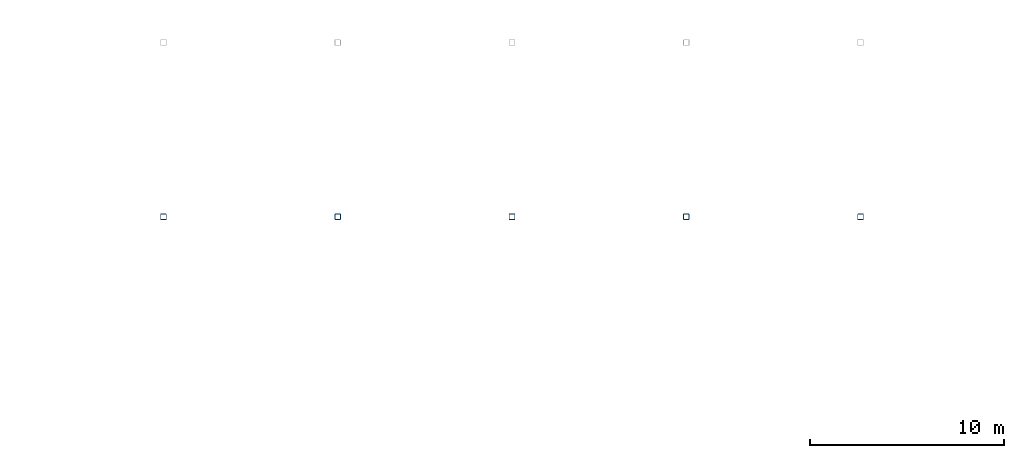
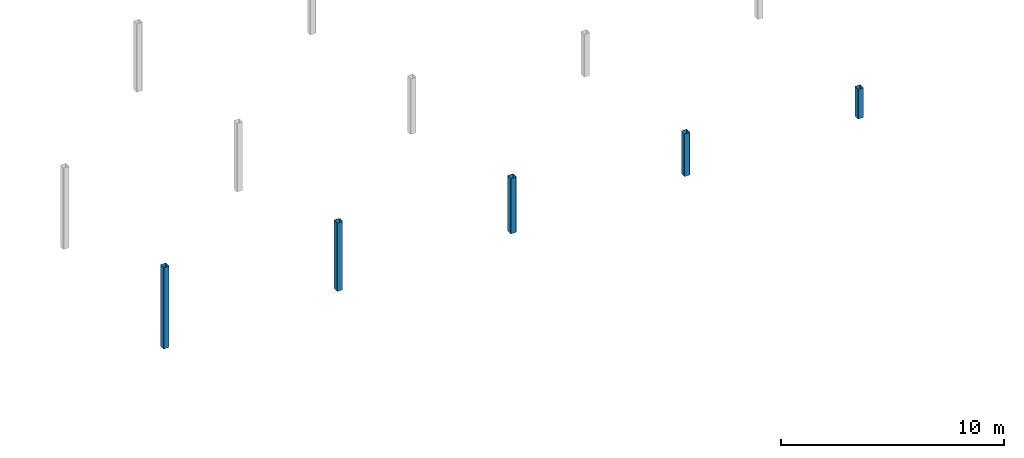
# One storey, part 2 of 15: 5 columns.
"""IFC4 building model written with IfcOpenShell, lengths in metres."""

import ifcopenshell
import ifcopenshell.guid

model = None  # the IFC model being written
_history = None  # IfcOwnerHistory: only IFC2X3 demands one
_inside = {}  # id of a spatial element -> (the spatial element, [elements in it])
_under = {}  # id of a project, library or spatial element -> (it, [spatial elements below it])
_declared = {}  # id of a project -> (the project, [libraries it declares])
_typed = {}  # id of a type object -> (the type object, [elements of that type])
_made_of = {}  # id of a material, layer set ... -> (it, [elements and type objects made of it])


def new_model(schema):
    """Start an empty IFC model of exactly this schema.

    Asked for "IFC4X3", IfcOpenShell would pick the latest addendum, in which some entities
    have other attributes; the version numbers below select the first issue.
    IFC2X3 requires an IfcOwnerHistory on every rooted entity: one is made here for all.
    """
    global model, _history
    if schema == "IFC4X3":
        model = ifcopenshell.file(schema_version=(4, 3, 0, 0))
    else:
        model = ifcopenshell.file(schema=schema)
    _inside.clear()
    _under.clear()
    _declared.clear()
    _typed.clear()
    _made_of.clear()
    _history = None
    if model.schema == "IFC2X3":
        org = make("IfcOrganization", Name="unknown")
        user = make(
            "IfcPersonAndOrganization",
            ThePerson=make("IfcPerson", FamilyName="unknown"),
            TheOrganization=org,
        )
        app = make(
            "IfcApplication",
            ApplicationDeveloper=org,
            Version="unknown",
            ApplicationFullName="unknown",
            ApplicationIdentifier="unknown",
        )
        _history = make(
            "IfcOwnerHistory",
            OwningUser=user,
            OwningApplication=app,
            ChangeAction="ADDED",
            CreationDate=0,
        )
    return model


def make(cls, **values):
    """One entity of the class cls with the attributes given. An attribute that is None is left unset."""
    return model.create_entity(
        cls, **{name: value for name, value in values.items() if value is not None}
    )


def rooted(cls, **values):
    """An entity with a GlobalId (a new one), such as an element, a storey or a relation."""
    return make(cls, GlobalId=ifcopenshell.guid.new(), OwnerHistory=_history, **values)


def si_unit(unit_type, name, prefix=None):
    """IfcSIUnit, for example si_unit("LENGTHUNIT", "METRE", prefix="MILLI")."""
    return make("IfcSIUnit", UnitType=unit_type, Prefix=prefix, Name=name)


def assignment(units):
    """IfcUnitAssignment: the units of a project."""
    return None if units is None else make("IfcUnitAssignment", Units=units)


def point(xyz):
    """IfcCartesianPoint."""
    return None if xyz is None else make("IfcCartesianPoint", Coordinates=xyz)


def direction(xyz):
    """IfcDirection."""
    return None if xyz is None else make("IfcDirection", DirectionRatios=xyz)


def frame(location, z_axis=None, x_axis=None):
    """IfcAxis2Placement3D, a coordinate frame: its origin and axes. An axis left out is left unset."""
    return make(
        "IfcAxis2Placement3D",
        Location=point(location),
        Axis=direction(z_axis),
        RefDirection=direction(x_axis),
    )


def frame_2d(location, x_axis=None):
    """IfcAxis2Placement2D, a coordinate frame in the plane: its origin and x axis."""
    return make(
        "IfcAxis2Placement2D", Location=point(location), RefDirection=direction(x_axis)
    )


def origin():
    """The frame at (0, 0, 0) with its axes left unset."""
    return frame((0.0, 0.0, 0.0))


def origin_2d():
    """The frame at (0, 0) in the plane with its x axis left unset."""
    return frame_2d((0.0, 0.0))


def place(relative_to, where):
    """IfcLocalPlacement: puts the frame where relative to a parent placement (None: the world)."""
    return make(
        "IfcLocalPlacement", PlacementRelTo=relative_to, RelativePlacement=where
    )


def context(
    kind, dimensions, precision=None, world=None, true_north=None, identifier=None
):
    """IfcGeometricRepresentationContext, for example the 3D "Model" context."""
    return make(
        "IfcGeometricRepresentationContext",
        ContextIdentifier=identifier,
        ContextType=kind,
        CoordinateSpaceDimension=dimensions,
        Precision=precision,
        WorldCoordinateSystem=world,
        TrueNorth=true_north,
    )


def subcontext(parent, identifier, kind, view, scale=None):
    """IfcGeometricRepresentationSubContext, for example "Body" below "Model"."""
    return make(
        "IfcGeometricRepresentationSubContext",
        ContextIdentifier=identifier,
        ContextType=kind,
        ParentContext=parent,
        TargetScale=scale,
        TargetView=view,
    )


def project(units=None, contexts=None):
    """IfcProject with its units and contexts."""
    return rooted(
        "IfcProject",
        Name="project",
        RepresentationContexts=contexts,
        UnitsInContext=assignment(units),
    )


def spatial(cls, under=None, at=None, **own):
    """A site, building, storey or space (cls), placed at a placement, below another one or the project."""
    s = rooted(cls, ObjectPlacement=at, **own)
    if under is not None:
        _under.setdefault(under.id(), (under, []))[1].append(s)
    return s


def profile(cls, at=None, kind="AREA", **sizes):
    """A parametric profile (cls). Its sizes go by their IFC names, for example OverallWidth=200.0."""
    return make(cls, ProfileType=kind, Position=at, **sizes)


def hollow_rectangle(**sizes):
    """IfcRectangleHollowProfileDef."""
    return profile("IfcRectangleHollowProfileDef", **sizes)


def extrude(swept, where, along, depth):
    """IfcExtrudedAreaSolid: the profile swept, set in the frame where, extruded along a direction by depth."""
    return make(
        "IfcExtrudedAreaSolid",
        SweptArea=swept,
        Position=where,
        ExtrudedDirection=direction(along),
        Depth=depth,
    )


def shape(context_of_items, identifier, shape_type, items):
    """IfcShapeRepresentation: the items that make up one representation, for example the "Body"."""
    return make(
        "IfcShapeRepresentation",
        ContextOfItems=context_of_items,
        RepresentationIdentifier=identifier,
        RepresentationType=shape_type,
        Items=items,
    )


def material(Name=None, Category=None):
    """IfcMaterial."""
    return make("IfcMaterial", Name=Name, Category=Category)


def material_profile(
    of_material, cross_section, Name=None, Category=None, Priority=None
):
    """IfcMaterialProfile: a cross section and its material."""
    return make(
        "IfcMaterialProfile",
        Name=Name,
        Material=of_material,
        Profile=cross_section,
        Priority=Priority,
        Category=Category,
    )


def profile_set(profiles, Name=None, composite=None):
    """IfcMaterialProfileSet."""
    return make(
        "IfcMaterialProfileSet",
        Name=Name,
        MaterialProfiles=profiles,
        CompositeProfile=composite,
    )


def made_of(thing, what):
    """Note that an element or type object is made of a material, layer set ...; save() writes the relation."""
    if what is not None:
        _made_of.setdefault(what.id(), (what, []))[1].append(thing)
    return thing


def type_object(cls, material=None, **own):
    """A type object (cls), such as IfcWallType, which elements share."""
    return made_of(rooted(cls, **own), material)


def element(
    cls,
    number,
    at=None,
    inside=None,
    cuts=None,
    type_object=None,
    material=None,
    context=None,
    identifier="Body",
    shape_type=None,
    held_by="IfcProductDefinitionShape",
    body=None,
    shapes=None,
    **own,
):
    """One element of the class cls, such as IfcWall. Its Tag is "e" and its number.

    at: its placement. inside: the storey or other place that contains it. cuts: it is an
    opening in that element (IfcRelVoidsElement). A single representation is given by context,
    identifier, shape_type and body (its items); several are given by shapes. held_by: the class
    of the entity that holds the representations. save() writes the other relations.
    """
    e = rooted(cls, Tag="e%d" % number, ObjectPlacement=at, **own)
    if body is not None:
        shapes = [shape(context, identifier, shape_type, body)]
    if shapes is not None:
        e.Representation = make(held_by, Representations=shapes)
    if inside is not None:
        _inside.setdefault(inside.id(), (inside, []))[1].append(e)
    if cuts is not None:
        rooted(
            "IfcRelVoidsElement", RelatingBuildingElement=cuts, RelatedOpeningElement=e
        )
    if type_object is not None:
        _typed.setdefault(type_object.id(), (type_object, []))[1].append(e)
    return made_of(e, material)


def aggregate(whole, parts):
    """IfcRelAggregates: a whole, such as a stair, and the parts it consists of."""
    return rooted("IfcRelAggregates", RelatingObject=whole, RelatedObjects=parts)


def save(model, path):
    """Write the relations noted so far, then the file.

    IfcRelAggregates (storeys below a building ...), IfcRelContainedInSpatialStructure (elements
    in a storey), IfcRelDefinesByType, IfcRelAssociatesMaterial and IfcRelDeclares: one each for
    every whole, place, type object, material and project.
    """
    for whole, parts in _under.values():
        aggregate(whole, parts)
    for where, things in _inside.values():
        rooted(
            "IfcRelContainedInSpatialStructure",
            RelatedElements=things,
            RelatingStructure=where,
        )
    for kind, things in _typed.values():
        rooted("IfcRelDefinesByType", RelatedObjects=things, RelatingType=kind)
    for what, things in _made_of.values():
        rooted("IfcRelAssociatesMaterial", RelatedObjects=things, RelatingMaterial=what)
    for by, libraries in _declared.values():
        rooted("IfcRelDeclares", RelatingContext=by, RelatedDefinitions=libraries)
    model.write(path)


model = new_model("IFC4")

# Units and contexts
model_context = context("Model", 3, precision=1e-05, world=origin(), true_north=direction((0.0, 1.0)))
body_context = subcontext(model_context, "Body", "Model", "MODEL_VIEW")
ifc_project = project(units=[si_unit("LENGTHUNIT", "METRE"), si_unit("AREAUNIT", "SQUARE_METRE"), si_unit("VOLUMEUNIT", "CUBIC_METRE"), si_unit("PLANEANGLEUNIT", "RADIAN"), si_unit("MASSUNIT", "GRAM", prefix="KILO")], contexts=[model_context])

# Site, building, storey
site_placement = place(None, origin())
site = spatial("IfcSite", under=ifc_project, at=site_placement, CompositionType="ELEMENT")
building_placement = place(site_placement, origin())
building = spatial("IfcBuilding", under=site, at=building_placement, Name="Opaline Strait Convention Centre", CompositionType="ELEMENT")
storey_placement = place(building_placement, frame((0.0, 0.0, 20.10009765625)))
storey = spatial("IfcBuildingStorey", under=building, at=storey_placement, Name="Roof Restaurants and Business Centre", CompositionType="ELEMENT", Elevation=20.10009765625)

# Columns
ifc_material = material(Name="Steel Q355B", Category="steel")
ifc_material_profile = material_profile(ifc_material, hollow_rectangle(XDim=0.300048828125, YDim=0.300048828125, WallThickness=0.011962890625, InnerFilletRadius=0.02392578125, OuterFilletRadius=0.035888671875, at=origin_2d()), Name="RHS 300x300x12")
ifc_profile_set = profile_set([ifc_material_profile], Name="Steel Q355B")
column_type = type_object("IfcColumnType", Name="Roof post RHS 300x300x12", PredefinedType="COLUMN", material=ifc_profile_set)
column_1_placement = place(storey_placement, frame((279.0, 90.0, 0.0), z_axis=(0.0, 0.0, 1.0), x_axis=(1.0, 0.0, 0.0)))
element("IfcColumn", 1, at=column_1_placement, inside=storey, type_object=column_type, Name="MRS1 roof post at 32/L above Roof Restaurants and Business Centre", PredefinedType="COLUMN", context=body_context, shape_type="SweptSolid", body=[
    extrude(hollow_rectangle(XDim=0.300048828125, YDim=0.300048828125, WallThickness=0.011962890625, InnerFilletRadius=0.02392578125, OuterFilletRadius=0.035888671875, at=origin_2d()), origin(), (0.0, 0.0, 1.0), 4.453369140625),
])
column_2_placement = place(storey_placement, frame((288.0, 90.0, 0.0), z_axis=(0.0, 0.0, 1.0), x_axis=(1.0, 0.0, 0.0)))
element("IfcColumn", 2, at=column_2_placement, inside=storey, type_object=column_type, Name="MRS1 roof post at 33/L above Roof Restaurants and Business Centre", PredefinedType="COLUMN", context=body_context, shape_type="SweptSolid", body=[
    extrude(hollow_rectangle(XDim=0.300048828125, YDim=0.300048828125, WallThickness=0.011962890625, InnerFilletRadius=0.02392578125, OuterFilletRadius=0.035888671875, at=origin_2d()), origin(), (0.0, 0.0, 1.0), 3.7451171875),
])
column_3_placement = place(storey_placement, frame((297.0, 90.0, 0.0), z_axis=(0.0, 0.0, 1.0), x_axis=(1.0, 0.0, 0.0)))
element("IfcColumn", 3, at=column_3_placement, inside=storey, type_object=column_type, Name="MRS1 roof post at 34/L above Roof Restaurants and Business Centre", PredefinedType="COLUMN", context=body_context, shape_type="SweptSolid", body=[
    extrude(hollow_rectangle(XDim=0.300048828125, YDim=0.300048828125, WallThickness=0.011962890625, InnerFilletRadius=0.02392578125, OuterFilletRadius=0.035888671875, at=origin_2d()), origin(), (0.0, 0.0, 1.0), 3.036865234375),
])
column_4_placement = place(storey_placement, frame((306.0, 90.0, 0.0), z_axis=(0.0, 0.0, 1.0), x_axis=(1.0, 0.0, 0.0)))
element("IfcColumn", 4, at=column_4_placement, inside=storey, type_object=column_type, Name="MRS1 roof post at 35/L above Roof Restaurants and Business Centre", PredefinedType="COLUMN", context=body_context, shape_type="SweptSolid", body=[
    extrude(hollow_rectangle(XDim=0.300048828125, YDim=0.300048828125, WallThickness=0.011962890625, InnerFilletRadius=0.02392578125, OuterFilletRadius=0.035888671875, at=origin_2d()), origin(), (0.0, 0.0, 1.0), 2.32861328125),
])
column_5_placement = place(storey_placement, frame((315.0, 90.0, 0.0), z_axis=(0.0, 0.0, 1.0), x_axis=(1.0, 0.0, 0.0)))
element("IfcColumn", 5, at=column_5_placement, inside=storey, type_object=column_type, Name="MRS1 roof post at 36/L above Roof Restaurants and Business Centre", PredefinedType="COLUMN", context=body_context, shape_type="SweptSolid", body=[
    extrude(hollow_rectangle(XDim=0.300048828125, YDim=0.300048828125, WallThickness=0.011962890625, InnerFilletRadius=0.02392578125, OuterFilletRadius=0.035888671875, at=origin_2d()), origin(), (0.0, 0.0, 1.0), 1.6201171875),
])

save(model, "model.ifc")
